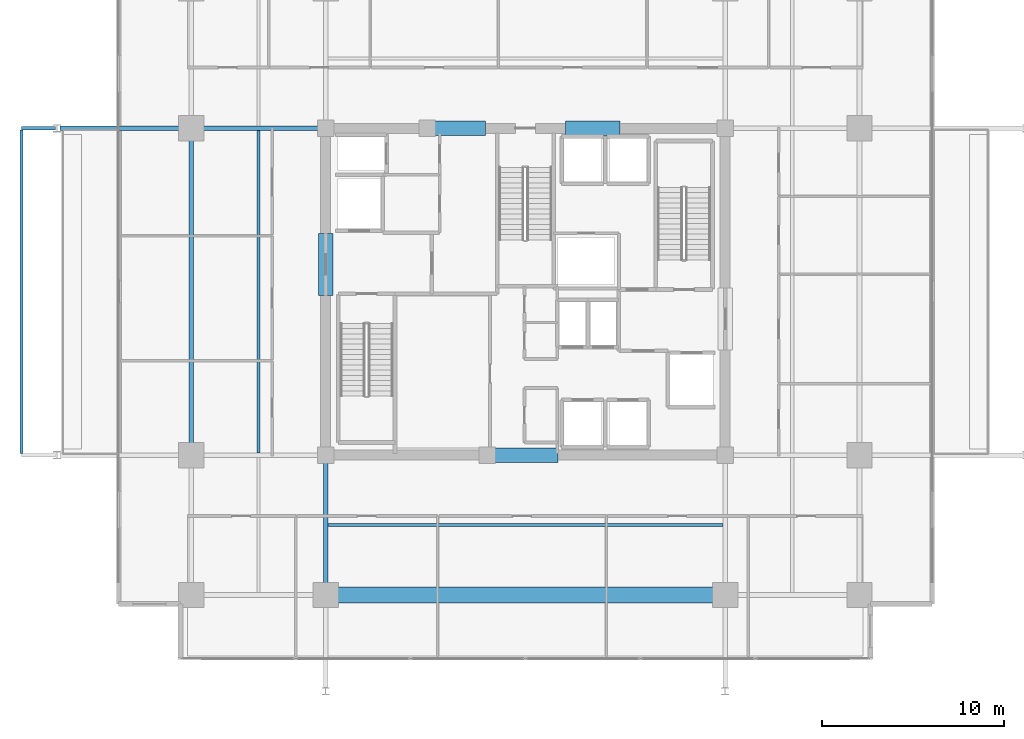
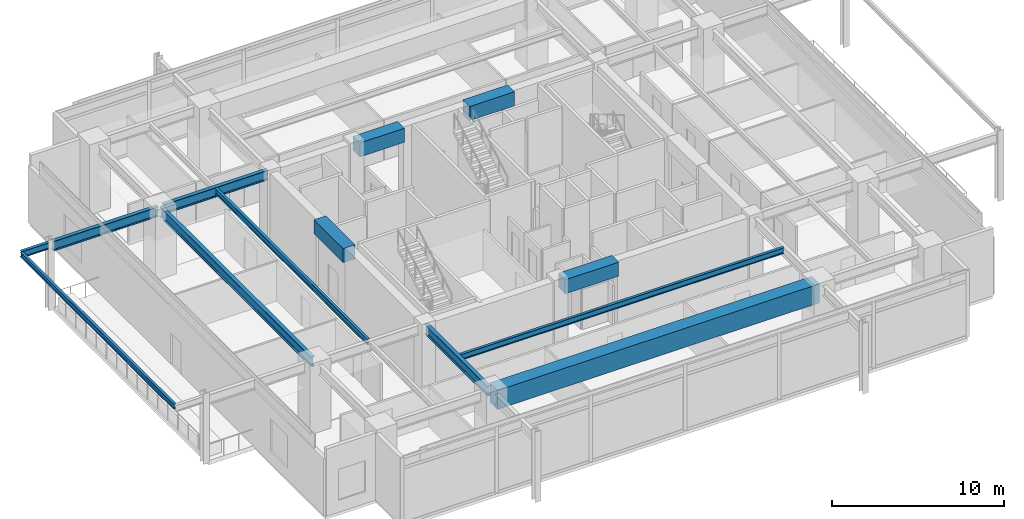
# One storey, part 4 of 19: 13 beams.
"""IFC4 building model written with IfcOpenShell, lengths in metres."""

from ifc_helpers import new_model, si_unit, direction, frame, origin, origin_2d, place, context, subcontext, project, spatial, rectangle, i_section, extrude, material, material_profile, profile_set, type_object, element, save


model = new_model("IFC4")

# Units and contexts
model_context = context("Model", 3, precision=1e-05, world=origin(), true_north=direction((0.0, 1.0)))
body_context = subcontext(model_context, "Body", "Model", "MODEL_VIEW")
ifc_project = project(units=[si_unit("LENGTHUNIT", "METRE"), si_unit("AREAUNIT", "SQUARE_METRE"), si_unit("VOLUMEUNIT", "CUBIC_METRE"), si_unit("PLANEANGLEUNIT", "RADIAN"), si_unit("MASSUNIT", "GRAM", prefix="KILO")], contexts=[model_context])

# Site, building, storey
site_placement = place(None, origin())
site = spatial("IfcSite", under=ifc_project, at=site_placement, CompositionType="ELEMENT")
building_placement = place(site_placement, origin())
building = spatial("IfcBuilding", under=site, at=building_placement, Name="Kovane Verandah Tower", CompositionType="ELEMENT")
storey_placement = place(building_placement, frame((0.0, 0.0, 200.199951171875)))
storey = spatial("IfcBuildingStorey", under=building, at=storey_placement, Name="L46", CompositionType="ELEMENT", Elevation=200.199951171875)

# Beams
ifc_material_1 = material(Name="Concrete C60/75", Category="concrete")
ifc_material_profile_1 = material_profile(ifc_material_1, rectangle(XDim=0.800048828125, YDim=1.0, at=origin_2d()), Name="RCB800x1000")
ifc_profile_set_1 = profile_set([ifc_material_profile_1], Name="Concrete C60/75")
beam_type_1 = type_object("IfcBeamType", Name="BM-LINTEL-800x1000", PredefinedType="LINTEL", material=ifc_profile_set_1)
beam_1_placement = place(storey_placement, frame((38.199951171875, 18.5, 4.275146484375), z_axis=(1.0, 0.0, 0.0), x_axis=(0.0, 1.0, 0.0)))
element("IfcBeam", 1, at=beam_1_placement, inside=storey, type_object=beam_type_1, Name="L46 Core Coupling Lintel CL-S", PredefinedType="LINTEL", context=body_context, shape_type="SweptSolid", body=[
    extrude(rectangle(XDim=0.800048828125, YDim=1.0, at=origin_2d()), origin(), (0.0, 0.0, 1.0), 3.60009765625),
])
for number, where, z_axis, x_axis, name in (
    (2, (34.800048828125, 36.5, 4.275146484375), (1.0, 0.0, 0.0), (0.0, 1.0, 0.0), "L46 Core Coupling Lintel CL-N1"),
    (3, (42.199951171875, 36.5, 4.275146484375), (1.0, 0.0, 0.0), (0.0, 1.0, 0.0), "L46 Core Coupling Lintel CL-N2"),
):
    element("IfcBeam", number, at=place(storey_placement, frame(where, z_axis=z_axis, x_axis=x_axis)), inside=storey, type_object=beam_type_1, Name=name, PredefinedType="LINTEL", context=body_context, shape_type="SweptSolid", body=[
        extrude(rectangle(XDim=0.800048828125, YDim=1.0, at=origin_2d()), origin(), (0.0, 0.0, 1.0), 3.0),
    ])
beam_2_placement = place(storey_placement, frame((29.0, 27.300048828125, 4.275146484375), z_axis=(0.0, 1.0, 0.0), x_axis=(-1.0, 0.0, 0.0)))
element("IfcBeam", 4, at=beam_2_placement, inside=storey, type_object=beam_type_1, Name="L46 Core Coupling Lintel CL-W", PredefinedType="LINTEL", context=body_context, shape_type="SweptSolid", body=[
    extrude(rectangle(XDim=0.800048828125, YDim=1.0, at=origin_2d()), origin(), (0.0, 0.0, 1.0), 3.39990234375),
])
ifc_material_2 = material(Name="Concrete C80/95", Category="concrete")
ifc_material_profile_2 = material_profile(ifc_material_2, rectangle(XDim=0.89990234375, YDim=1.35009765625, at=origin_2d()), Name="RCB900x1350")
ifc_profile_set_2 = profile_set([ifc_material_profile_2], Name="Concrete C80/95")
beam_type_2 = type_object("IfcBeamType", Name="BM-TR-900x1350", PredefinedType="BEAM", material=ifc_profile_set_2)
beam_3_placement = place(storey_placement, frame((29.179931640625, 10.800048828125, 4.10009765625), z_axis=(1.0, 0.0, 0.0), x_axis=(0.0, 1.0, 0.0)))
element("IfcBeam", 5, at=beam_3_placement, inside=storey, type_object=beam_type_2, Name="L46 Primary Tower Girder G-RS2", PredefinedType="BEAM", context=body_context, shape_type="SweptSolid", body=[
    extrude(rectangle(XDim=0.89990234375, YDim=1.35009765625, at=origin_2d()), origin(), (0.0, 0.0, 1.0), 21.64013671875),
])
ifc_material_3 = material(Name="Steel S355", Category="steel")
ifc_material_profile_3 = material_profile(ifc_material_3, i_section(OverallWidth=0.255859375, OverallDepth=0.69287109375, WebThickness=0.014404296875, FlangeThickness=0.023681640625, FilletRadius=0.01513671875, at=origin_2d()), Name="UB686x254x170")
ifc_profile_set_3 = profile_set([ifc_material_profile_3], Name="Steel S355")
beam_type_3 = type_object("IfcBeamType", Name="BM-UB686x170", PredefinedType="BEAM", material=ifc_profile_set_3)
beam_4_placement = place(storey_placement, frame((21.60009765625, 18.679931640625, 4.428466796875), z_axis=(0.0, 1.0, 0.0), x_axis=(-1.0, 0.0, 0.0)))
element("IfcBeam", 6, at=beam_4_placement, inside=storey, type_object=beam_type_3, Name="L46 Primary Tower Girder G-RW2", PredefinedType="BEAM", context=body_context, shape_type="SweptSolid", body=[
    extrude(i_section(OverallWidth=0.255859375, OverallDepth=0.69287109375, WebThickness=0.014404296875, FlangeThickness=0.023681640625, FilletRadius=0.01513671875, at=origin_2d()), origin(), (0.0, 0.0, 1.0), 17.64013671875),
])
beam_5_placement = place(storey_placement, frame((28.820068359375, 36.5, 4.428466796875), z_axis=(-1.0, 0.0, 0.0), x_axis=(0.0, -1.0, 0.0)))
element("IfcBeam", 7, at=beam_5_placement, inside=storey, type_object=beam_type_3, Name="L46 Primary Tower Girder G-W2", PredefinedType="BEAM", context=body_context, shape_type="SweptSolid", body=[
    extrude(i_section(OverallWidth=0.255859375, OverallDepth=0.69287109375, WebThickness=0.014404296875, FlangeThickness=0.023681640625, FilletRadius=0.01513671875, at=origin_2d()), origin(), (0.0, 0.0, 1.0), 7.0400390625),
])
beam_6_placement = place(storey_placement, frame((29.0, 18.320068359375, 4.428466796875), z_axis=(0.0, -1.0, 0.0), x_axis=(1.0, 0.0, 0.0)))
element("IfcBeam", 8, at=beam_6_placement, inside=storey, type_object=beam_type_3, Name="L46 Primary Tower Girder G-S1", PredefinedType="BEAM", context=body_context, shape_type="SweptSolid", body=[
    extrude(i_section(OverallWidth=0.255859375, OverallDepth=0.69287109375, WebThickness=0.014404296875, FlangeThickness=0.023681640625, FilletRadius=0.01513671875, at=origin_2d()), origin(), (0.0, 0.0, 1.0), 7.340087890625),
])
beam_7_placement = place(storey_placement, frame((21.419921875, 36.5, 4.41357421875), z_axis=(-1.0, 0.0, 0.0), x_axis=(0.0, -1.0, 0.0)))
element("IfcBeam", 9, at=beam_7_placement, inside=storey, type_object=beam_type_3, Name="L46 Primary Tower Girder G-VW2", PredefinedType="BEAM", context=body_context, shape_type="SweptSolid", body=[
    extrude(i_section(OverallWidth=0.255859375, OverallDepth=0.69287109375, WebThickness=0.014404296875, FlangeThickness=0.023681640625, FilletRadius=0.01513671875, at=origin_2d()), origin(), (0.0, 0.0, 1.0), 7.0400390625),
])
ifc_material_profile_4 = material_profile(ifc_material_3, i_section(OverallWidth=0.179443359375, OverallDepth=0.412841796875, WebThickness=0.009521484375, FlangeThickness=0.01611328125, FilletRadius=0.01025390625, at=origin_2d()), Name="UB406x178x74")
ifc_profile_set_4 = profile_set([ifc_material_profile_4], Name="Steel S355")
beam_type_4 = type_object("IfcBeamType", Name="JST-UB406x74", PredefinedType="JOIST", material=ifc_profile_set_4)
beam_8_placement = place(storey_placement, frame((29.1259765625, 14.64990234375, 4.568603515625), z_axis=(1.0, 0.0, 0.0), x_axis=(0.0, 1.0, 0.0)))
element("IfcBeam", 10, at=beam_8_placement, inside=storey, type_object=beam_type_4, Name="L46 Secondary Composite Joist J-S1", PredefinedType="JOIST", context=body_context, shape_type="SweptSolid", body=[
    extrude(i_section(OverallWidth=0.179443359375, OverallDepth=0.412841796875, WebThickness=0.009521484375, FlangeThickness=0.01611328125, FilletRadius=0.01025390625, at=origin_2d()), origin(), (0.0, 0.0, 1.0), 21.748046875),
])
beam_9_placement = place(storey_placement, frame((25.300048828125, 18.6259765625, 4.568603515625), z_axis=(0.0, 1.0, 0.0), x_axis=(-1.0, 0.0, 0.0)))
element("IfcBeam", 11, at=beam_9_placement, inside=storey, type_object=beam_type_4, Name="L46 Secondary Composite Joist J-W1", PredefinedType="JOIST", context=body_context, shape_type="SweptSolid", body=[
    extrude(i_section(OverallWidth=0.179443359375, OverallDepth=0.412841796875, WebThickness=0.009521484375, FlangeThickness=0.01611328125, FilletRadius=0.01025390625, at=origin_2d()), origin(), (0.0, 0.0, 1.0), 17.748046875),
])
ifc_material_profile_5 = material_profile(ifc_material_3, i_section(OverallWidth=0.19287109375, OverallDepth=0.46728515625, WebThickness=0.011474609375, FlangeThickness=0.01953125, FilletRadius=0.01025390625, at=origin_2d()), Name="UB457x191x98")
ifc_profile_set_5 = profile_set([ifc_material_profile_5], Name="Steel S355")
beam_type_5 = type_object("IfcBeamType", Name="JST-UB457x98", PredefinedType="JOIST", material=ifc_profile_set_5)
beam_10_placement = place(storey_placement, frame((14.1201171875, 36.5, 4.5263671875), z_axis=(-1.0, 0.0, 0.0), x_axis=(0.0, -1.0, 0.0)))
element("IfcBeam", 12, at=beam_10_placement, inside=storey, type_object=beam_type_5, Name="L46 West Planter Girder 2", PredefinedType="JOIST", context=body_context, shape_type="SweptSolid", body=[
    extrude(i_section(OverallWidth=0.19287109375, OverallDepth=0.46728515625, WebThickness=0.011474609375, FlangeThickness=0.01953125, FilletRadius=0.01025390625, at=origin_2d()), origin(), (0.0, 0.0, 1.0), 1.8701171875),
])
ifc_material_profile_6 = material_profile(ifc_material_3, i_section(OverallWidth=0.173095703125, OverallDepth=0.36328125, WebThickness=0.009033203125, FlangeThickness=0.015625, FilletRadius=0.01025390625, at=origin_2d()), Name="UB356x171x67")
ifc_profile_set_6 = profile_set([ifc_material_profile_6], Name="Steel S355")
beam_type_6 = type_object("IfcBeamType", Name="SPD-UB356x67", PredefinedType="USERDEFINED", material=ifc_profile_set_6)
beam_11_placement = place(storey_placement, frame((12.25, 18.594482421875, 4.578369140625), z_axis=(0.0, 1.0, 0.0), x_axis=(-1.0, 0.0, 0.0)))
element("IfcBeam", 13, at=beam_11_placement, inside=storey, type_object=beam_type_6, Name="L46 West Planter Edge Spandrel", ObjectType="SPANDREL", PredefinedType="USERDEFINED", context=body_context, shape_type="SweptSolid", body=[
    extrude(i_section(OverallWidth=0.173095703125, OverallDepth=0.36328125, WebThickness=0.009033203125, FlangeThickness=0.015625, FilletRadius=0.01025390625, at=origin_2d()), origin(), (0.0, 0.0, 1.0), 17.81103515625),
])

save(model, "model.ifc")
